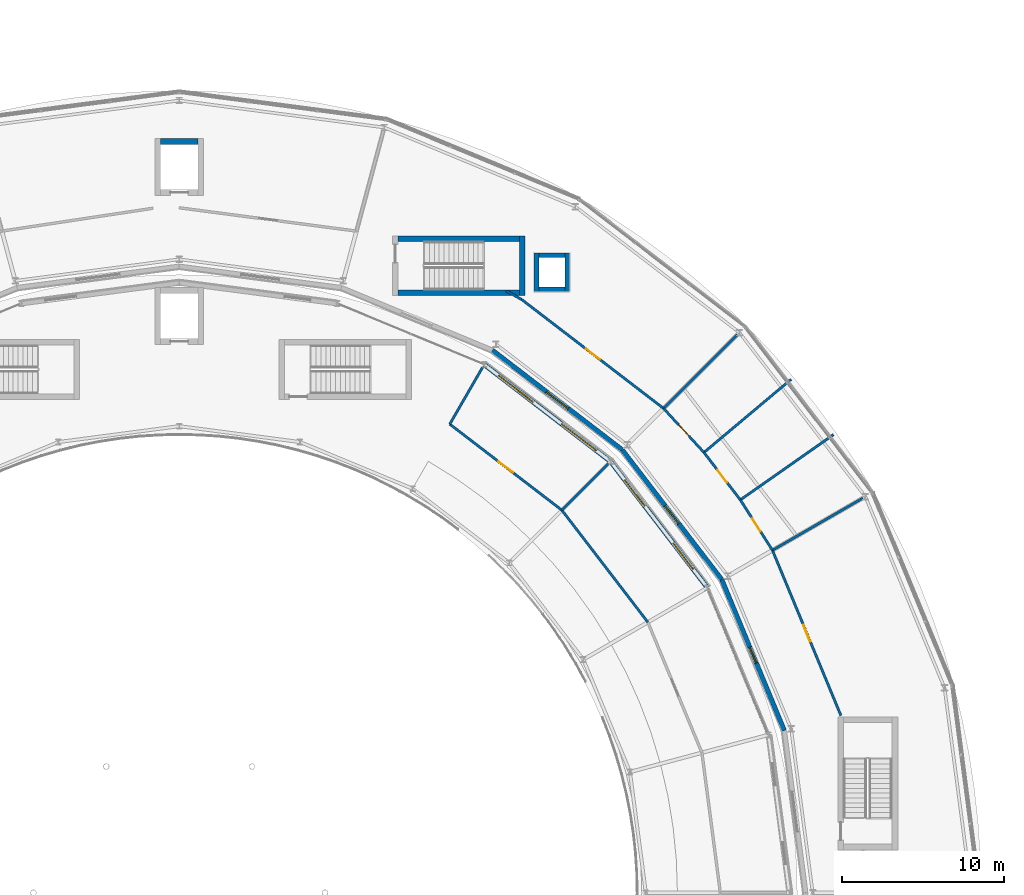
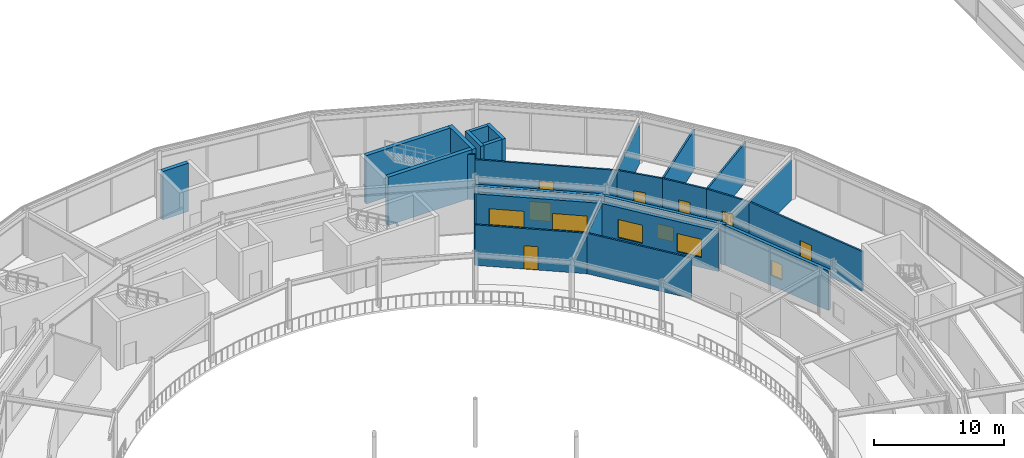
# One storey, part 123 of 157: 27 walls, 7 windows, 6 doors, 13 openings.
"""IFC4 building model written with IfcOpenShell, lengths in metres."""

import ifcopenshell
import ifcopenshell.guid

model = None  # the IFC model being written
_history = None  # IfcOwnerHistory: only IFC2X3 demands one
_inside = {}  # id of a spatial element -> (the spatial element, [elements in it])
_under = {}  # id of a project, library or spatial element -> (it, [spatial elements below it])
_declared = {}  # id of a project -> (the project, [libraries it declares])
_typed = {}  # id of a type object -> (the type object, [elements of that type])
_made_of = {}  # id of a material, layer set ... -> (it, [elements and type objects made of it])


def new_model(schema):
    """Start an empty IFC model of exactly this schema.

    Asked for "IFC4X3", IfcOpenShell would pick the latest addendum, in which some entities
    have other attributes; the version numbers below select the first issue.
    IFC2X3 requires an IfcOwnerHistory on every rooted entity: one is made here for all.
    """
    global model, _history
    if schema == "IFC4X3":
        model = ifcopenshell.file(schema_version=(4, 3, 0, 0))
    else:
        model = ifcopenshell.file(schema=schema)
    _inside.clear()
    _under.clear()
    _declared.clear()
    _typed.clear()
    _made_of.clear()
    _history = None
    if model.schema == "IFC2X3":
        org = make("IfcOrganization", Name="unknown")
        user = make(
            "IfcPersonAndOrganization",
            ThePerson=make("IfcPerson", FamilyName="unknown"),
            TheOrganization=org,
        )
        app = make(
            "IfcApplication",
            ApplicationDeveloper=org,
            Version="unknown",
            ApplicationFullName="unknown",
            ApplicationIdentifier="unknown",
        )
        _history = make(
            "IfcOwnerHistory",
            OwningUser=user,
            OwningApplication=app,
            ChangeAction="ADDED",
            CreationDate=0,
        )
    return model


def make(cls, **values):
    """One entity of the class cls with the attributes given. An attribute that is None is left unset."""
    return model.create_entity(
        cls, **{name: value for name, value in values.items() if value is not None}
    )


def rooted(cls, **values):
    """An entity with a GlobalId (a new one), such as an element, a storey or a relation."""
    return make(cls, GlobalId=ifcopenshell.guid.new(), OwnerHistory=_history, **values)


def si_unit(unit_type, name, prefix=None):
    """IfcSIUnit, for example si_unit("LENGTHUNIT", "METRE", prefix="MILLI")."""
    return make("IfcSIUnit", UnitType=unit_type, Prefix=prefix, Name=name)


def assignment(units):
    """IfcUnitAssignment: the units of a project."""
    return None if units is None else make("IfcUnitAssignment", Units=units)


def point(xyz):
    """IfcCartesianPoint."""
    return None if xyz is None else make("IfcCartesianPoint", Coordinates=xyz)


def direction(xyz):
    """IfcDirection."""
    return None if xyz is None else make("IfcDirection", DirectionRatios=xyz)


def frame(location, z_axis=None, x_axis=None):
    """IfcAxis2Placement3D, a coordinate frame: its origin and axes. An axis left out is left unset."""
    return make(
        "IfcAxis2Placement3D",
        Location=point(location),
        Axis=direction(z_axis),
        RefDirection=direction(x_axis),
    )


def frame_2d(location, x_axis=None):
    """IfcAxis2Placement2D, a coordinate frame in the plane: its origin and x axis."""
    return make(
        "IfcAxis2Placement2D", Location=point(location), RefDirection=direction(x_axis)
    )


def origin():
    """The frame at (0, 0, 0) with its axes left unset."""
    return frame((0.0, 0.0, 0.0))


def place(relative_to, where):
    """IfcLocalPlacement: puts the frame where relative to a parent placement (None: the world)."""
    return make(
        "IfcLocalPlacement", PlacementRelTo=relative_to, RelativePlacement=where
    )


def context(
    kind, dimensions, precision=None, world=None, true_north=None, identifier=None
):
    """IfcGeometricRepresentationContext, for example the 3D "Model" context."""
    return make(
        "IfcGeometricRepresentationContext",
        ContextIdentifier=identifier,
        ContextType=kind,
        CoordinateSpaceDimension=dimensions,
        Precision=precision,
        WorldCoordinateSystem=world,
        TrueNorth=true_north,
    )


def subcontext(parent, identifier, kind, view, scale=None):
    """IfcGeometricRepresentationSubContext, for example "Body" below "Model"."""
    return make(
        "IfcGeometricRepresentationSubContext",
        ContextIdentifier=identifier,
        ContextType=kind,
        ParentContext=parent,
        TargetScale=scale,
        TargetView=view,
    )


def project(units=None, contexts=None):
    """IfcProject with its units and contexts."""
    return rooted(
        "IfcProject",
        Name="project",
        RepresentationContexts=contexts,
        UnitsInContext=assignment(units),
    )


def spatial(cls, under=None, at=None, **own):
    """A site, building, storey or space (cls), placed at a placement, below another one or the project."""
    s = rooted(cls, ObjectPlacement=at, **own)
    if under is not None:
        _under.setdefault(under.id(), (under, []))[1].append(s)
    return s


def profile(cls, at=None, kind="AREA", **sizes):
    """A parametric profile (cls). Its sizes go by their IFC names, for example OverallWidth=200.0."""
    return make(cls, ProfileType=kind, Position=at, **sizes)


def rectangle(**sizes):
    """IfcRectangleProfileDef."""
    return profile("IfcRectangleProfileDef", **sizes)


def extrude(swept, where, along, depth):
    """IfcExtrudedAreaSolid: the profile swept, set in the frame where, extruded along a direction by depth."""
    return make(
        "IfcExtrudedAreaSolid",
        SweptArea=swept,
        Position=where,
        ExtrudedDirection=direction(along),
        Depth=depth,
    )


def shape(context_of_items, identifier, shape_type, items):
    """IfcShapeRepresentation: the items that make up one representation, for example the "Body"."""
    return make(
        "IfcShapeRepresentation",
        ContextOfItems=context_of_items,
        RepresentationIdentifier=identifier,
        RepresentationType=shape_type,
        Items=items,
    )


def material(Name=None, Category=None):
    """IfcMaterial."""
    return make("IfcMaterial", Name=Name, Category=Category)


def layer(
    of_material, thickness, ventilated=None, Name=None, Category=None, Priority=None
):
    """IfcMaterialLayer: one layer of a wall or slab, of a material (None: an air gap)."""
    return make(
        "IfcMaterialLayer",
        Material=of_material,
        LayerThickness=thickness,
        IsVentilated=ventilated,
        Name=Name,
        Category=Category,
        Priority=Priority,
    )


def layer_set(layers, Name=None):
    """IfcMaterialLayerSet."""
    return make("IfcMaterialLayerSet", MaterialLayers=layers, LayerSetName=Name)


def made_of(thing, what):
    """Note that an element or type object is made of a material, layer set ...; save() writes the relation."""
    if what is not None:
        _made_of.setdefault(what.id(), (what, []))[1].append(thing)
    return thing


def type_object(cls, material=None, **own):
    """A type object (cls), such as IfcWallType, which elements share."""
    return made_of(rooted(cls, **own), material)


def element(
    cls,
    number,
    at=None,
    inside=None,
    cuts=None,
    type_object=None,
    material=None,
    context=None,
    identifier="Body",
    shape_type=None,
    held_by="IfcProductDefinitionShape",
    body=None,
    shapes=None,
    **own,
):
    """One element of the class cls, such as IfcWall. Its Tag is "e" and its number.

    at: its placement. inside: the storey or other place that contains it. cuts: it is an
    opening in that element (IfcRelVoidsElement). A single representation is given by context,
    identifier, shape_type and body (its items); several are given by shapes. held_by: the class
    of the entity that holds the representations. save() writes the other relations.
    """
    e = rooted(cls, Tag="e%d" % number, ObjectPlacement=at, **own)
    if body is not None:
        shapes = [shape(context, identifier, shape_type, body)]
    if shapes is not None:
        e.Representation = make(held_by, Representations=shapes)
    if inside is not None:
        _inside.setdefault(inside.id(), (inside, []))[1].append(e)
    if cuts is not None:
        rooted(
            "IfcRelVoidsElement", RelatingBuildingElement=cuts, RelatedOpeningElement=e
        )
    if type_object is not None:
        _typed.setdefault(type_object.id(), (type_object, []))[1].append(e)
    return made_of(e, material)


def fill(opening, filler):
    """IfcRelFillsElement: the door or window that sits in an opening."""
    return rooted(
        "IfcRelFillsElement",
        RelatingOpeningElement=opening,
        RelatedBuildingElement=filler,
    )


def aggregate(whole, parts):
    """IfcRelAggregates: a whole, such as a stair, and the parts it consists of."""
    return rooted("IfcRelAggregates", RelatingObject=whole, RelatedObjects=parts)


def save(model, path):
    """Write the relations noted so far, then the file.

    IfcRelAggregates (storeys below a building ...), IfcRelContainedInSpatialStructure (elements
    in a storey), IfcRelDefinesByType, IfcRelAssociatesMaterial and IfcRelDeclares: one each for
    every whole, place, type object, material and project.
    """
    for whole, parts in _under.values():
        aggregate(whole, parts)
    for where, things in _inside.values():
        rooted(
            "IfcRelContainedInSpatialStructure",
            RelatedElements=things,
            RelatingStructure=where,
        )
    for kind, things in _typed.values():
        rooted("IfcRelDefinesByType", RelatedObjects=things, RelatingType=kind)
    for what, things in _made_of.values():
        rooted("IfcRelAssociatesMaterial", RelatedObjects=things, RelatingMaterial=what)
    for by, libraries in _declared.values():
        rooted("IfcRelDeclares", RelatingContext=by, RelatedDefinitions=libraries)
    model.write(path)


model = new_model("IFC4")

# Units and contexts
model_context = context("Model", 3, precision=1e-05, world=origin(), true_north=direction((0.0, 1.0)))
body_context = subcontext(model_context, "Body", "Model", "MODEL_VIEW")
ifc_project = project(units=[si_unit("LENGTHUNIT", "METRE"), si_unit("AREAUNIT", "SQUARE_METRE"), si_unit("VOLUMEUNIT", "CUBIC_METRE"), si_unit("PLANEANGLEUNIT", "RADIAN"), si_unit("MASSUNIT", "GRAM", prefix="KILO")], contexts=[model_context])

# Site, building, storey
site_placement = place(None, origin())
site = spatial("IfcSite", under=ifc_project, at=site_placement, CompositionType="ELEMENT")
building_placement = place(site_placement, origin())
building = spatial("IfcBuilding", under=site, at=building_placement, Name="Almandine Court Research Institute", CompositionType="ELEMENT")
storey_placement = place(building_placement, frame((0.0, 0.0, 5.25)))
storey = spatial("IfcBuildingStorey", under=building, at=storey_placement, Name="L01", CompositionType="ELEMENT", Elevation=5.25)

# Wall, opening, window
ifc_material_1 = material(Name="Insulated Ochre Terracotta Rainscreen Wall", Category="masonry")
ifc_layer_1 = layer(ifc_material_1, 0.2900390625)
ifc_layer_set_1 = layer_set([ifc_layer_1], Name="Insulated Ochre Terracotta Rainscreen Wall")
wall_type_1 = type_object("IfcWallType", Name="Wall-EXT-TERR-290", PredefinedType="SOLIDWALL", material=ifc_layer_set_1)
wall_1_placement = place(storey_placement, frame((124.341064453125, 66.011962890625, 0.0), z_axis=(0.0, 0.0, 1.0), x_axis=(-0.382733240508, 0.92385889973, 0.0)))
wall_1 = element("IfcWall", 1, at=wall_1_placement, inside=storey, type_object=wall_type_1, Name="L01 Drum Inner Gallery Wall 01", PredefinedType="SOLIDWALL", context=body_context, shape_type="SweptSolid", body=[
    extrude(rectangle(XDim=10.08056640625, YDim=0.2900390625, at=frame_2d((5.040283203125, 0.0))), origin(), (0.0, 0.0, 1.0), 3.73193359375),
])
opening_1_placement = place(wall_1_placement, frame((4.514892578125, 0.0, 0.949951171875)))
opening_1 = element("IfcOpeningElement", 2, at=opening_1_placement, cuts=wall_1, Name="Opening WN-113", PredefinedType="OPENING", context=body_context, shape_type="SweptSolid", body=[
    extrude(rectangle(XDim=1.050048828125, YDim=1.429931640625, at=frame_2d((0.52490234375, 0.71484375))), frame((0.0, 0.155029296875, 0.0), z_axis=(0.0, -1.0, 0.0), x_axis=(1.0, 0.0, 0.0)), (0.0, 0.0, 1.0), 0.31005859375),
])
ifc_material_2 = material(Name="Thermally Broken Low-E Double-Glazed Window", Category="glass")
window_type_1 = type_object("IfcWindowType", Name="Win-WN-113-1050x1430", PartitioningType="SINGLE_PANEL", PredefinedType="WINDOW", material=ifc_material_2)
window_1_placement = place(opening_1_placement, origin())
window_1 = element("IfcWindow", 3, at=window_1_placement, inside=storey, type_object=window_type_1, Name="L01 Modular Recessed Low-E Window 243", OverallHeight=1.429931640625, OverallWidth=1.050048828125, PartitioningType="SINGLE_PANEL", PredefinedType="WINDOW", context=body_context, shape_type="SweptSolid", body=[
    extrude(rectangle(XDim=1.050048828125, YDim=1.429931640625, at=frame_2d((0.52490234375, 0.71484375))), frame((0.0, 0.030029296875, 0.0), z_axis=(0.0, -1.0, 0.0), x_axis=(1.0, 0.0, 0.0)), (0.0, 0.0, 1.0), 0.06005859375),
])
fill(opening_1, window_1)

wall_2_placement = place(storey_placement, frame((120.47705078125, 75.3349609375, 0.0), z_axis=(0.0, 0.0, 1.0), x_axis=(-0.608737604027, 0.793371621275, 0.0)))
wall_2 = element("IfcWall", 4, at=wall_2_placement, inside=storey, type_object=wall_type_1, Name="L01 Drum Inner Gallery Wall 02", PredefinedType="SOLIDWALL", context=body_context, shape_type="SweptSolid", body=[
    extrude(rectangle(XDim=10.079833984375, YDim=0.2900390625, at=frame_2d((5.0400390625, 0.0))), origin(), (0.0, 0.0, 1.0), 3.81494140625),
])
opening_2_placement = place(wall_2_placement, frame((4.35009765625, 0.0, 0.949951171875)))
opening_2 = element("IfcOpeningElement", 5, at=opening_2_placement, cuts=wall_2, Name="Opening WN-29", PredefinedType="OPENING", context=body_context, shape_type="SweptSolid", body=[
    extrude(rectangle(XDim=1.3798828125, YDim=1.35009765625, at=frame_2d((0.68994140625, 0.675048828125))), frame((0.0, 0.155029296875, 0.0), z_axis=(0.0, -1.0, 0.0), x_axis=(1.0, 0.0, 0.0)), (0.0, 0.0, 1.0), 0.31005859375),
])
window_type_2 = type_object("IfcWindowType", Name="Win-WN-29-1380x1350", PartitioningType="SINGLE_PANEL", PredefinedType="WINDOW", material=ifc_material_2)
window_2_placement = place(opening_2_placement, origin())
window_2 = element("IfcWindow", 6, at=window_2_placement, inside=storey, type_object=window_type_2, Name="L01 Modular Recessed Low-E Window 244", OverallHeight=1.35009765625, OverallWidth=1.3798828125, PartitioningType="SINGLE_PANEL", PredefinedType="WINDOW", context=body_context, shape_type="SweptSolid", body=[
    extrude(rectangle(XDim=1.3798828125, YDim=1.35009765625, at=frame_2d((0.68994140625, 0.675048828125))), frame((0.0, 0.030029296875, 0.0), z_axis=(0.0, -1.0, 0.0), x_axis=(1.0, 0.0, 0.0)), (0.0, 0.0, 1.0), 0.06005859375),
])
fill(opening_2, window_2)

wall_3_placement = place(storey_placement, frame((114.33203125, 83.341064453125, 0.0), z_axis=(0.0, 0.0, 1.0), x_axis=(-0.793371621275, 0.608737604027, 0.0)))
wall_3 = element("IfcWall", 7, at=wall_3_placement, inside=storey, type_object=wall_type_1, Name="L01 Drum Inner Gallery Wall 03", PredefinedType="SOLIDWALL", context=body_context, shape_type="SweptSolid", body=[
    extrude(rectangle(XDim=10.079833984375, YDim=0.2900390625, at=frame_2d((5.0400390625, 0.0))), origin(), (0.0, 0.0, 1.0), 3.81494140625),
])
opening_3_placement = place(wall_3_placement, frame((4.18505859375, 0.0, 0.949951171875)))
opening_3 = element("IfcOpeningElement", 8, at=opening_3_placement, cuts=wall_3, Name="Opening WN-30", PredefinedType="OPENING", context=body_context, shape_type="SweptSolid", body=[
    extrude(rectangle(XDim=1.7099609375, YDim=1.75, at=frame_2d((0.85498046875, 0.875))), frame((0.0, 0.155029296875, 0.0), z_axis=(0.0, -1.0, 0.0), x_axis=(1.0, 0.0, 0.0)), (0.0, 0.0, 1.0), 0.31005859375),
])
window_type_3 = type_object("IfcWindowType", Name="Win-WN-30-1710x1750", PartitioningType="SINGLE_PANEL", PredefinedType="WINDOW", material=ifc_material_2)
window_3_placement = place(opening_3_placement, origin())
window_3 = element("IfcWindow", 9, at=window_3_placement, inside=storey, type_object=window_type_3, Name="L01 Modular Recessed Low-E Window 245", OverallHeight=1.75, OverallWidth=1.7099609375, PartitioningType="SINGLE_PANEL", PredefinedType="WINDOW", context=body_context, shape_type="SweptSolid", body=[
    extrude(rectangle(XDim=1.7099609375, YDim=1.75, at=frame_2d((0.85498046875, 0.875))), frame((0.0, 0.030029296875, 0.0), z_axis=(0.0, -1.0, 0.0), x_axis=(1.0, 0.0, 0.0)), (0.0, 0.0, 1.0), 0.06005859375),
])
fill(opening_3, window_3)

# Wall, openings, windows
wall_4_placement = place(storey_placement, frame((113.625, 82.618896484375, 0.0), z_axis=(0.0, 0.0, 1.0), x_axis=(0.608746738158, -0.793364612762, 0.0)))
wall_4 = element("IfcWall", 10, at=wall_4_placement, inside=storey, type_object=wall_type_1, Name="L01 Interaction Atrium Perimeter Wall 02", PredefinedType="SOLIDWALL", context=body_context, shape_type="SweptSolid", body=[
    extrude(rectangle(XDim=9.8203125, YDim=0.2900390625, at=frame_2d((4.91015625, 0.0))), origin(), (0.0, 0.0, 1.0), 3.81005859375),
])
opening_4_placement = place(wall_4_placement, frame((1.43505859375, 0.0, 0.949951171875)))
opening_4 = element("IfcOpeningElement", 11, at=opening_4_placement, cuts=wall_4, Name="Opening WN-87", PredefinedType="OPENING", context=body_context, shape_type="SweptSolid", body=[
    extrude(rectangle(XDim=2.0400390625, YDim=1.719970703125, at=frame_2d((1.02001953125, 0.85986328125))), frame((0.0, 0.155029296875, 0.0), z_axis=(0.0, -1.0, 0.0), x_axis=(1.0, 0.0, 0.0)), (0.0, 0.0, 1.0), 0.31005859375),
])
opening_5_placement = place(wall_4_placement, frame((6.344970703125, 0.0, 0.949951171875)))
opening_5 = element("IfcOpeningElement", 12, at=opening_5_placement, cuts=wall_4, Name="Opening WN-87", PredefinedType="OPENING", context=body_context, shape_type="SweptSolid", body=[
    extrude(rectangle(XDim=2.0400390625, YDim=1.719970703125, at=frame_2d((1.02001953125, 0.85986328125))), frame((0.0, 0.155029296875, 0.0), z_axis=(0.0, -1.0, 0.0), x_axis=(1.0, 0.0, 0.0)), (0.0, 0.0, 1.0), 0.31005859375),
])
window_type_4 = type_object("IfcWindowType", Name="Win-WN-87-2040x1720", PartitioningType="SINGLE_PANEL", PredefinedType="WINDOW", material=ifc_material_2)
window_4_placement = place(opening_4_placement, origin())
window_4 = element("IfcWindow", 13, at=window_4_placement, inside=storey, type_object=window_type_4, Name="L01 Modular Recessed Low-E Window 342", OverallHeight=1.719970703125, OverallWidth=2.0400390625, PartitioningType="SINGLE_PANEL", PredefinedType="WINDOW", context=body_context, shape_type="SweptSolid", body=[
    extrude(rectangle(XDim=2.0400390625, YDim=1.719970703125, at=frame_2d((1.02001953125, 0.85986328125))), frame((0.0, 0.030029296875, 0.0), z_axis=(0.0, -1.0, 0.0), x_axis=(1.0, 0.0, 0.0)), (0.0, 0.0, 1.0), 0.06005859375),
])
fill(opening_4, window_4)
window_5_placement = place(opening_5_placement, origin())
window_5 = element("IfcWindow", 14, at=window_5_placement, inside=storey, type_object=window_type_4, Name="L01 Modular Recessed Low-E Window 343", OverallHeight=1.719970703125, OverallWidth=2.0400390625, PartitioningType="SINGLE_PANEL", PredefinedType="WINDOW", context=body_context, shape_type="SweptSolid", body=[
    extrude(rectangle(XDim=2.0400390625, YDim=1.719970703125, at=frame_2d((1.02001953125, 0.85986328125))), frame((0.0, 0.030029296875, 0.0), z_axis=(0.0, -1.0, 0.0), x_axis=(1.0, 0.0, 0.0)), (0.0, 0.0, 1.0), 0.06005859375),
])
fill(opening_5, window_5)

wall_5_placement = place(storey_placement, frame((105.827880859375, 88.60302734375, 0.0), z_axis=(0.0, 0.0, 1.0), x_axis=(0.793364612762, -0.608746738158, 0.0)))
wall_5 = element("IfcWall", 15, at=wall_5_placement, inside=storey, type_object=wall_type_1, Name="L01 Interaction Atrium Perimeter Wall 03", PredefinedType="SOLIDWALL", context=body_context, shape_type="SweptSolid", body=[
    extrude(rectangle(XDim=9.8203125, YDim=0.2900390625, at=frame_2d((4.91015625, 0.0))), origin(), (0.0, 0.0, 1.0), 3.81005859375),
])
opening_6_placement = place(wall_5_placement, frame((1.10498046875, 0.0, 0.949951171875)))
opening_6 = element("IfcOpeningElement", 16, at=opening_6_placement, cuts=wall_5, Name="Opening WN-80", PredefinedType="OPENING", context=body_context, shape_type="SweptSolid", body=[
    extrude(rectangle(XDim=2.699951171875, YDim=1.56005859375, at=frame_2d((1.35009765625, 0.780029296875))), frame((0.0, 0.155029296875, 0.0), z_axis=(0.0, -1.0, 0.0), x_axis=(1.0, 0.0, 0.0)), (0.0, 0.0, 1.0), 0.31005859375),
])
opening_7_placement = place(wall_5_placement, frame((6.014892578125, 0.0, 0.949951171875)))
opening_7 = element("IfcOpeningElement", 17, at=opening_7_placement, cuts=wall_5, Name="Opening WN-80", PredefinedType="OPENING", context=body_context, shape_type="SweptSolid", body=[
    extrude(rectangle(XDim=2.699951171875, YDim=1.56005859375, at=frame_2d((1.35009765625, 0.780029296875))), frame((0.0, 0.155029296875, 0.0), z_axis=(0.0, -1.0, 0.0), x_axis=(1.0, 0.0, 0.0)), (0.0, 0.0, 1.0), 0.31005859375),
])
window_type_5 = type_object("IfcWindowType", Name="Win-WN-80-2700x1560", PartitioningType="SINGLE_PANEL", PredefinedType="WINDOW", material=ifc_material_2)
window_6_placement = place(opening_6_placement, origin())
window_6 = element("IfcWindow", 18, at=window_6_placement, inside=storey, type_object=window_type_5, Name="L01 Modular Recessed Low-E Window 344", OverallHeight=1.56005859375, OverallWidth=2.699951171875, PartitioningType="SINGLE_PANEL", PredefinedType="WINDOW", context=body_context, shape_type="SweptSolid", body=[
    extrude(rectangle(XDim=2.699951171875, YDim=1.56005859375, at=frame_2d((1.35009765625, 0.780029296875))), frame((0.0, 0.030029296875, 0.0), z_axis=(0.0, -1.0, 0.0), x_axis=(1.0, 0.0, 0.0)), (0.0, 0.0, 1.0), 0.06005859375),
])
fill(opening_6, window_6)
window_7_placement = place(opening_7_placement, origin())
window_7 = element("IfcWindow", 19, at=window_7_placement, inside=storey, type_object=window_type_5, Name="L01 Modular Recessed Low-E Window 345", OverallHeight=1.56005859375, OverallWidth=2.699951171875, PartitioningType="SINGLE_PANEL", PredefinedType="WINDOW", context=body_context, shape_type="SweptSolid", body=[
    extrude(rectangle(XDim=2.699951171875, YDim=1.56005859375, at=frame_2d((1.35009765625, 0.780029296875))), frame((0.0, 0.030029296875, 0.0), z_axis=(0.0, -1.0, 0.0), x_axis=(1.0, 0.0, 0.0)), (0.0, 0.0, 1.0), 0.06005859375),
])
fill(opening_7, window_7)

# Wall, opening, door
ifc_material_3 = material(Name="Acoustic Steel-Stud Gypsum Partition Wall", Category="steel")
ifc_layer_2 = layer(ifc_material_3, 0.14990234375)
ifc_layer_set_2 = layer_set([ifc_layer_2], Name="Acoustic Steel-Stud Gypsum Partition Wall")
wall_type_2 = type_object("IfcWallType", Name="Wall-PART-150", PredefinedType="PARTITIONING", material=ifc_layer_set_2)
wall_6_placement = place(storey_placement, frame((123.615966796875, 77.139892578125, 0.0), z_axis=(0.0, 0.0, 1.0), x_axis=(-0.537290836095, 0.843397034289, 0.0)))
wall_6 = element("IfcWall", 20, at=wall_6_placement, inside=storey, type_object=wall_type_2, Name="L01 Interior Partition W-V5-L01-WC-1", PredefinedType="PARTITIONING", context=body_context, shape_type="SweptSolid", body=[
    extrude(rectangle(XDim=3.688720703125, YDim=0.14990234375, at=frame_2d((1.84423828125, 0.0))), origin(), (0.0, 0.0, 1.0), 3.737060546875),
])
opening_8_placement = place(wall_6_placement, frame((1.368896484375, 0.0, 0.0)))
opening_8 = element("IfcOpeningElement", 21, at=opening_8_placement, cuts=wall_6, Name="Opening D-01", PredefinedType="OPENING", context=body_context, shape_type="SweptSolid", body=[
    extrude(rectangle(XDim=0.949951171875, YDim=2.10009765625, at=frame_2d((0.47509765625, 1.050048828125))), frame((0.0, 0.0849609375, 0.0), z_axis=(0.0, -1.0, 0.0), x_axis=(1.0, 0.0, 0.0)), (0.0, 0.0, 1.0), 0.169921875),
])
ifc_material_4 = material(Name="Solid-Core Timber Acoustic Room Door", Category="wood")
door_type_1 = type_object("IfcDoorType", Name="Door-INT-950", OperationType="NOTDEFINED", PredefinedType="DOOR", material=ifc_material_4)
door_1_placement = place(opening_8_placement, origin())
door_1 = element("IfcDoor", 22, at=door_1_placement, inside=storey, type_object=door_type_1, Name="L01 Drum Male Toilet Door", OperationType="SINGLE_SWING_RIGHT", OverallHeight=2.10009765625, OverallWidth=0.949951171875, PredefinedType="DOOR", context=body_context, shape_type="SweptSolid", body=[
    extrude(rectangle(XDim=0.949951171875, YDim=2.10009765625, at=frame_2d((0.47509765625, 1.050048828125))), frame((0.0, 0.02490234375, 0.0), z_axis=(0.0, -1.0, 0.0), x_axis=(1.0, 0.0, 0.0)), (0.0, 0.0, 1.0), 0.050048828125),
])
fill(opening_8, door_1)

wall_7_placement = place(storey_placement, frame((121.634033203125, 80.2509765625, 0.0), z_axis=(0.0, 0.0, 1.0), x_axis=(-0.608910806106, 0.793238696867, 0.0)))
wall_7 = element("IfcWall", 23, at=wall_7_placement, inside=storey, type_object=wall_type_2, Name="L01 Interior Partition W-V5-L01-WC-2", PredefinedType="PARTITIONING", context=body_context, shape_type="SweptSolid", body=[
    extrude(rectangle(XDim=3.688720703125, YDim=0.14990234375, at=frame_2d((1.84423828125, 0.0))), origin(), (0.0, 0.0, 1.0), 3.737060546875),
])
opening_9_placement = place(wall_7_placement, frame((1.368896484375, 0.0, 0.0)))
opening_9 = element("IfcOpeningElement", 24, at=opening_9_placement, cuts=wall_7, Name="Opening D-01", PredefinedType="OPENING", context=body_context, shape_type="SweptSolid", body=[
    extrude(rectangle(XDim=0.949951171875, YDim=2.10009765625, at=frame_2d((0.47509765625, 1.050048828125))), frame((0.0, 0.0849609375, 0.0), z_axis=(0.0, -1.0, 0.0), x_axis=(1.0, 0.0, 0.0)), (0.0, 0.0, 1.0), 0.169921875),
])
door_2_placement = place(opening_9_placement, origin())
door_2 = element("IfcDoor", 25, at=door_2_placement, inside=storey, type_object=door_type_1, Name="L01 Drum Female Toilet Door", OperationType="SINGLE_SWING_LEFT", OverallHeight=2.10009765625, OverallWidth=0.949951171875, PredefinedType="DOOR", context=body_context, shape_type="SweptSolid", body=[
    extrude(rectangle(XDim=0.949951171875, YDim=2.10009765625, at=frame_2d((0.47509765625, 1.050048828125))), frame((0.0, 0.02490234375, 0.0), z_axis=(0.0, -1.0, 0.0), x_axis=(1.0, 0.0, 0.0)), (0.0, 0.0, 1.0), 0.050048828125),
])
fill(opening_9, door_2)

wall_8_placement = place(storey_placement, frame((119.387939453125, 83.177001953125, 0.0), z_axis=(0.0, 0.0, 1.0), x_axis=(-0.675655682507, 0.737217334778, 0.0)))
wall_8 = element("IfcWall", 26, at=wall_8_placement, inside=storey, type_object=wall_type_2, Name="L01 Interior Partition W-V5-L01-WC-3", PredefinedType="PARTITIONING", context=body_context, shape_type="SweptSolid", body=[
    extrude(rectangle(XDim=3.688232421875, YDim=0.14990234375, at=frame_2d((1.84423828125, 0.0))), origin(), (0.0, 0.0, 1.0), 3.737060546875),
])
opening_10_placement = place(wall_8_placement, frame((1.368896484375, 0.0, 0.0)))
opening_10 = element("IfcOpeningElement", 27, at=opening_10_placement, cuts=wall_8, Name="Opening D-01", PredefinedType="OPENING", context=body_context, shape_type="SweptSolid", body=[
    extrude(rectangle(XDim=0.949951171875, YDim=2.10009765625, at=frame_2d((0.47509765625, 1.050048828125))), frame((0.0, 0.0849609375, 0.0), z_axis=(0.0, -1.0, 0.0), x_axis=(1.0, 0.0, 0.0)), (0.0, 0.0, 1.0), 0.169921875),
])
door_3_placement = place(opening_10_placement, origin())
door_3 = element("IfcDoor", 28, at=door_3_placement, inside=storey, type_object=door_type_1, Name="L01 Drum Accessible WC Door", OperationType="SINGLE_SWING_RIGHT", OverallHeight=2.10009765625, OverallWidth=0.949951171875, PredefinedType="DOOR", context=body_context, shape_type="SweptSolid", body=[
    extrude(rectangle(XDim=0.949951171875, YDim=2.10009765625, at=frame_2d((0.47509765625, 1.050048828125))), frame((0.0, 0.02490234375, 0.0), z_axis=(0.0, -1.0, 0.0), x_axis=(1.0, 0.0, 0.0)), (0.0, 0.0, 1.0), 0.050048828125),
])
fill(opening_10, door_3)

# Walls
wall_9_placement = place(storey_placement, frame((123.615966796875, 77.139892578125, 0.0), z_axis=(0.0, 0.0, 1.0), x_axis=(0.866008816382, 0.500028729123, 0.0)))
element("IfcWall", 29, at=wall_9_placement, inside=storey, type_object=wall_type_2, Name="L01 Interior Partition W-V5-L01-WCRAD-1", PredefinedType="PARTITIONING", context=body_context, shape_type="SweptSolid", body=[
    extrude(rectangle(XDim=6.43994140625, YDim=0.14990234375, at=frame_2d((3.219970703125, 0.0))), origin(), (0.0, 0.0, 1.0), 3.737060546875),
])
wall_10_placement = place(storey_placement, frame((121.634033203125, 80.2509765625, 0.0), z_axis=(0.0, 0.0, 1.0), x_axis=(0.819156749665, 0.573569716318, 0.0)))
element("IfcWall", 30, at=wall_10_placement, inside=storey, type_object=wall_type_2, Name="L01 Interior Partition W-V5-L01-WCRAD-2", PredefinedType="PARTITIONING", context=body_context, shape_type="SweptSolid", body=[
    extrude(rectangle(XDim=7.01953125, YDim=0.14990234375, at=frame_2d((3.509765625, 0.0))), origin(), (0.0, 0.0, 1.0), 3.737060546875),
])
wall_11_placement = place(storey_placement, frame((119.387939453125, 83.177001953125, 0.0), z_axis=(0.0, 0.0, 1.0), x_axis=(0.766104816456, 0.642715652682, 0.0)))
element("IfcWall", 31, at=wall_11_placement, inside=storey, type_object=wall_type_2, Name="L01 Interior Partition W-V5-L01-WCRAD-3", PredefinedType="PARTITIONING", context=body_context, shape_type="SweptSolid", body=[
    extrude(rectangle(XDim=7.020263671875, YDim=0.14990234375, at=frame_2d((3.51025390625, 0.0))), origin(), (0.0, 0.0, 1.0), 3.737060546875),
])
wall_12_placement = place(storey_placement, frame((116.89599609375, 85.89599609375, 0.0), z_axis=(0.0, 0.0, 1.0), x_axis=(0.707106781187, 0.707106781187, 0.0)))
element("IfcWall", 32, at=wall_12_placement, inside=storey, type_object=wall_type_2, Name="L01 Interior Partition W-V5-L01-WCRAD-4", PredefinedType="PARTITIONING", context=body_context, shape_type="SweptSolid", body=[
    extrude(rectangle(XDim=6.440185546875, YDim=0.14990234375, at=frame_2d((3.22021484375, 0.0))), origin(), (0.0, 0.0, 1.0), 3.737060546875),
])

# Wall, opening, door
wall_13_placement = place(storey_placement, frame((127.839111328125, 66.943115234375, 0.0), z_axis=(0.0, 0.0, 1.0), x_axis=(-0.382644845446, 0.923895514793, 0.0)))
wall_13 = element("IfcWall", 33, at=wall_13_placement, inside=storey, type_object=wall_type_2, Name="L01 Interior Partition W-V5-L01-CHD-01", PredefinedType="PARTITIONING", context=body_context, shape_type="SweptSolid", body=[
    extrude(rectangle(XDim=11.03662109375, YDim=0.14990234375, at=frame_2d((5.518310546875, 0.0))), origin(), (0.0, 0.0, 1.0), 3.737060546875),
])
opening_11_placement = place(wall_13_placement, frame((4.949951171875, 0.0, 0.0)))
opening_11 = element("IfcOpeningElement", 34, at=opening_11_placement, cuts=wall_13, Name="Opening D-03", PredefinedType="OPENING", context=body_context, shape_type="SweptSolid", body=[
    extrude(rectangle(XDim=1.10009765625, YDim=2.199951171875, at=frame_2d((0.550048828125, 1.10009765625))), frame((0.0, 0.0849609375, 0.0), z_axis=(0.0, -1.0, 0.0), x_axis=(1.0, 0.0, 0.0)), (0.0, 0.0, 1.0), 0.169921875),
])
ifc_material_5 = material(Name="Acoustic Vision-Panel Seminar Door")
door_type_2 = type_object("IfcDoorType", Name="Door-INT-1100", OperationType="NOTDEFINED", PredefinedType="DOOR", material=ifc_material_5)
door_4_placement = place(opening_11_placement, origin())
door_4 = element("IfcDoor", 35, at=door_4_placement, inside=storey, type_object=door_type_2, Name="L01 Drum Bioinformatics Laboratory Door", OperationType="SINGLE_SWING_LEFT", OverallHeight=2.199951171875, OverallWidth=1.10009765625, PredefinedType="DOOR", context=body_context, shape_type="SweptSolid", body=[
    extrude(rectangle(XDim=1.10009765625, YDim=2.199951171875, at=frame_2d((0.550048828125, 1.10009765625))), frame((0.0, 0.02490234375, 0.0), z_axis=(0.0, -1.0, 0.0), x_axis=(1.0, 0.0, 0.0)), (0.0, 0.0, 1.0), 0.050048828125),
])
fill(opening_11, door_4)

wall_14_placement = place(storey_placement, frame((116.89599609375, 85.89599609375, 0.0), z_axis=(0.0, 0.0, 1.0), x_axis=(-0.793301872689, 0.608828497024, 0.0)))
wall_14 = element("IfcWall", 36, at=wall_14_placement, inside=storey, type_object=wall_type_2, Name="L01 Interior Partition W-V5-L01-CHD-03", PredefinedType="PARTITIONING", context=body_context, shape_type="SweptSolid", body=[
    extrude(rectangle(XDim=11.03759765625, YDim=0.14990234375, at=frame_2d((5.518798828125, 0.0))), origin(), (0.0, 0.0, 1.0), 3.737060546875),
])
opening_12_placement = place(wall_14_placement, frame((4.949951171875, 0.0, 0.0)))
opening_12 = element("IfcOpeningElement", 37, at=opening_12_placement, cuts=wall_14, Name="Opening D-03", PredefinedType="OPENING", context=body_context, shape_type="SweptSolid", body=[
    extrude(rectangle(XDim=1.10009765625, YDim=2.199951171875, at=frame_2d((0.550048828125, 1.10009765625))), frame((0.0, 0.0849609375, 0.0), z_axis=(0.0, -1.0, 0.0), x_axis=(1.0, 0.0, 0.0)), (0.0, 0.0, 1.0), 0.169921875),
])
door_5_placement = place(opening_12_placement, origin())
door_5 = element("IfcDoor", 38, at=door_5_placement, inside=storey, type_object=door_type_2, Name="L01 Drum Instrument Room Door", OperationType="SINGLE_SWING_RIGHT", OverallHeight=2.199951171875, OverallWidth=1.10009765625, PredefinedType="DOOR", context=body_context, shape_type="SweptSolid", body=[
    extrude(rectangle(XDim=1.10009765625, YDim=2.199951171875, at=frame_2d((0.550048828125, 1.10009765625))), frame((0.0, 0.02490234375, 0.0), z_axis=(0.0, -1.0, 0.0), x_axis=(1.0, 0.0, 0.0)), (0.0, 0.0, 1.0), 0.050048828125),
])
fill(opening_12, door_5)

# Walls
wall_15_placement = place(storey_placement, frame((108.139892578125, 92.615966796875, 0.0), z_axis=(0.0, 0.0, 1.0), x_axis=(-0.872821867213, 0.488038920697, 0.0)))
element("IfcWall", 39, at=wall_15_placement, inside=storey, type_object=wall_type_2, Name="L01 Interior Partition W-V5-L01-CHD-04", PredefinedType="PARTITIONING", context=body_context, shape_type="SweptSolid", body=[
    extrude(rectangle(XDim=1.1064453125, YDim=0.14990234375, at=frame_2d((0.55322265625, 0.0))), origin(), (0.0, 0.0, 1.0), 4.22998046875),
])
wall_16_placement = place(storey_placement, frame((115.925048828125, 72.699951171875, 0.0), z_axis=(0.0, 0.0, 1.0), x_axis=(-0.608798294056, 0.793325051384, 0.0)))
element("IfcWall", 40, at=wall_16_placement, inside=storey, type_object=wall_type_2, Name="L01 Interior Partition W-V2-L01-CHD-02", PredefinedType="PARTITIONING", context=body_context, shape_type="SweptSolid", body=[
    extrude(rectangle(XDim=8.718994140625, YDim=0.14990234375, at=frame_2d((4.359375, 0.0))), origin(), (0.0, 0.0, 1.0), 3.81494140625),
])

# Wall, opening, door
wall_17_placement = place(storey_placement, frame((110.616943359375, 79.616943359375, 0.0), z_axis=(0.0, 0.0, 1.0), x_axis=(-0.793325051384, 0.608798294056, 0.0)))
wall_17 = element("IfcWall", 41, at=wall_17_placement, inside=storey, type_object=wall_type_2, Name="L01 Interior Partition W-V2-L01-CHD-03", PredefinedType="PARTITIONING", context=body_context, shape_type="SweptSolid", body=[
    extrude(rectangle(XDim=8.718994140625, YDim=0.14990234375, at=frame_2d((4.359375, 0.0))), origin(), (0.0, 0.0, 1.0), 3.81494140625),
])
opening_13_placement = place(wall_17_placement, frame((3.81005859375, 0.0, 0.0)))
opening_13 = element("IfcOpeningElement", 42, at=opening_13_placement, cuts=wall_17, Name="Opening D-03", PredefinedType="OPENING", context=body_context, shape_type="SweptSolid", body=[
    extrude(rectangle(XDim=1.10009765625, YDim=2.199951171875, at=frame_2d((0.550048828125, 1.10009765625))), frame((0.0, 0.0849609375, 0.0), z_axis=(0.0, -1.0, 0.0), x_axis=(1.0, 0.0, 0.0)), (0.0, 0.0, 1.0), 0.169921875),
])
door_6_placement = place(opening_13_placement, origin())
door_6 = element("IfcDoor", 43, at=door_6_placement, inside=storey, type_object=door_type_2, Name="L01 Atrium Collaboration Gallery Door", OperationType="SINGLE_SWING_LEFT", OverallHeight=2.199951171875, OverallWidth=1.10009765625, PredefinedType="DOOR", context=body_context, shape_type="SweptSolid", body=[
    extrude(rectangle(XDim=1.10009765625, YDim=2.199951171875, at=frame_2d((0.550048828125, 1.10009765625))), frame((0.0, 0.02490234375, 0.0), z_axis=(0.0, -1.0, 0.0), x_axis=(1.0, 0.0, 0.0)), (0.0, 0.0, 1.0), 0.050048828125),
])
fill(opening_13, door_6)

# Walls
wall_18_placement = place(storey_placement, frame((110.616943359375, 79.616943359375, 0.0), z_axis=(0.0, 0.0, 1.0), x_axis=(0.707106781187, 0.707106781187, 0.0)))
element("IfcWall", 44, at=wall_18_placement, inside=storey, type_object=wall_type_2, Name="L01 Interior Partition W-V2-L01-RAD-03", PredefinedType="PARTITIONING", context=body_context, shape_type="SweptSolid", body=[
    extrude(rectangle(XDim=4.080078125, YDim=0.14990234375, at=frame_2d((2.0400390625, 0.0))), origin(), (0.0, 0.0, 1.0), 3.81494140625),
])
wall_19_placement = place(storey_placement, frame((103.699951171875, 84.925048828125, 0.0), z_axis=(0.0, 0.0, 1.0), x_axis=(0.499948612594, 0.866055070284, 0.0)))
element("IfcWall", 45, at=wall_19_placement, inside=storey, type_object=wall_type_2, Name="L01 Interior Partition W-V2-L01-RAD-04", PredefinedType="PARTITIONING", context=body_context, shape_type="SweptSolid", body=[
    extrude(rectangle(XDim=4.08056640625, YDim=0.14990234375, at=frame_2d((2.040283203125, 0.0))), origin(), (0.0, 0.0, 1.0), 3.89697265625),
])
ifc_material_6 = material(Name="Concrete C40/50", Category="concrete")
ifc_layer_3 = layer(ifc_material_6, 0.300048828125)
ifc_layer_set_3 = layer_set([ifc_layer_3], Name="Concrete C40/50")
wall_type_3 = type_object("IfcWallType", Name="Wall-SW-CORE-300", PredefinedType="SHEAR", material=ifc_layer_set_3)
wall_20_placement = place(storey_placement, frame((109.050048828125, 93.10009765625, 0.0), z_axis=(0.0, 0.0, 1.0), x_axis=(0.0, 1.0, 0.0)))
element("IfcWall", 46, at=wall_20_placement, inside=storey, type_object=wall_type_3, Name="L01 MEP Riser RS-V5A W Shear Wall", PredefinedType="SHEAR", context=body_context, shape_type="SweptSolid", body=[
    extrude(rectangle(XDim=2.39990234375, YDim=0.300048828125, at=frame_2d((1.199951171875, 0.0))), origin(), (0.0, 0.0, 1.0), 4.3701171875),
])
wall_21_placement = place(storey_placement, frame((109.199951171875, 95.35009765625, 0.0), z_axis=(0.0, 0.0, 1.0), x_axis=(1.0, 0.0, 0.0)))
element("IfcWall", 47, at=wall_21_placement, inside=storey, type_object=wall_type_3, Name="L01 MEP Riser RS-V5A N Shear Wall", PredefinedType="SHEAR", context=body_context, shape_type="SweptSolid", body=[
    extrude(rectangle(XDim=1.60009765625, YDim=0.300048828125, at=frame_2d((0.800048828125, 0.0))), origin(), (0.0, 0.0, 1.0), 4.3701171875),
])
wall_22_placement = place(storey_placement, frame((110.949951171875, 95.5, 0.0), z_axis=(0.0, 0.0, 1.0), x_axis=(0.0, -1.0, 0.0)))
element("IfcWall", 48, at=wall_22_placement, inside=storey, type_object=wall_type_3, Name="L01 MEP Riser RS-V5A E Shear Wall", PredefinedType="SHEAR", context=body_context, shape_type="SweptSolid", body=[
    extrude(rectangle(XDim=2.39990234375, YDim=0.300048828125, at=frame_2d((1.199951171875, 0.0))), origin(), (0.0, 0.0, 1.0), 4.3701171875),
])
wall_23_placement = place(storey_placement, frame((110.800048828125, 93.25, 0.0), z_axis=(0.0, 0.0, 1.0), x_axis=(-1.0, 0.0, 0.0)))
element("IfcWall", 49, at=wall_23_placement, inside=storey, type_object=wall_type_3, Name="L01 MEP Riser RS-V5A S Shear Wall", PredefinedType="SHEAR", context=body_context, shape_type="SweptSolid", body=[
    extrude(rectangle(XDim=1.60009765625, YDim=0.300048828125, at=frame_2d((0.800048828125, 0.0))), origin(), (0.0, 0.0, 1.0), 4.3701171875),
])
ifc_layer_4 = layer(ifc_material_6, 0.35009765625)
ifc_layer_set_4 = layer_set([ifc_layer_4], Name="Concrete C40/50")
wall_type_4 = type_object("IfcWallType", Name="Wall-SW-CORE-350", PredefinedType="SHEAR", material=ifc_layer_set_4)
wall_24_placement = place(storey_placement, frame((100.5, 96.375, 0.0), z_axis=(0.0, 0.0, 1.0), x_axis=(1.0, 0.0, 0.0)))
element("IfcWall", 50, at=wall_24_placement, inside=storey, type_object=wall_type_4, Name="L01 ST-09 N Shear Wall", PredefinedType="SHEAR", context=body_context, shape_type="SweptSolid", body=[
    extrude(rectangle(XDim=7.5, YDim=0.35009765625, at=frame_2d((3.75, 0.0))), origin(), (0.0, 0.0, 1.0), 4.550048828125),
])
wall_25_placement = place(storey_placement, frame((108.175048828125, 96.550048828125, 0.0), z_axis=(0.0, 0.0, 1.0), x_axis=(0.0, -1.0, 0.0)))
element("IfcWall", 51, at=wall_25_placement, inside=storey, type_object=wall_type_4, Name="L01 ST-09 E Shear Wall", PredefinedType="SHEAR", context=body_context, shape_type="SweptSolid", body=[
    extrude(rectangle(XDim=3.699951171875, YDim=0.35009765625, at=frame_2d((1.85009765625, 0.0))), origin(), (0.0, 0.0, 1.0), 4.550048828125),
])
wall_26_placement = place(storey_placement, frame((108.0, 93.02490234375, 0.0), z_axis=(0.0, 0.0, 1.0), x_axis=(-1.0, 0.0, 0.0)))
element("IfcWall", 52, at=wall_26_placement, inside=storey, type_object=wall_type_4, Name="L01 ST-09 S Shear Wall", PredefinedType="SHEAR", context=body_context, shape_type="SweptSolid", body=[
    extrude(rectangle(XDim=7.5, YDim=0.35009765625, at=frame_2d((3.75, 0.0))), origin(), (0.0, 0.0, 1.0), 4.550048828125),
])
wall_27_placement = place(storey_placement, frame((85.85009765625, 102.375, 0.0), z_axis=(0.0, 0.0, 1.0), x_axis=(1.0, 0.0, 0.0)))
element("IfcWall", 53, at=wall_27_placement, inside=storey, type_object=wall_type_4, Name="L01 PL-04 Hoistway N Shear Wall", PredefinedType="SHEAR", context=body_context, shape_type="SweptSolid", body=[
    extrude(rectangle(XDim=2.2998046875, YDim=0.35009765625, at=frame_2d((1.14990234375, 0.0))), origin(), (0.0, 0.0, 1.0), 4.550048828125),
])

save(model, "model.ifc")
